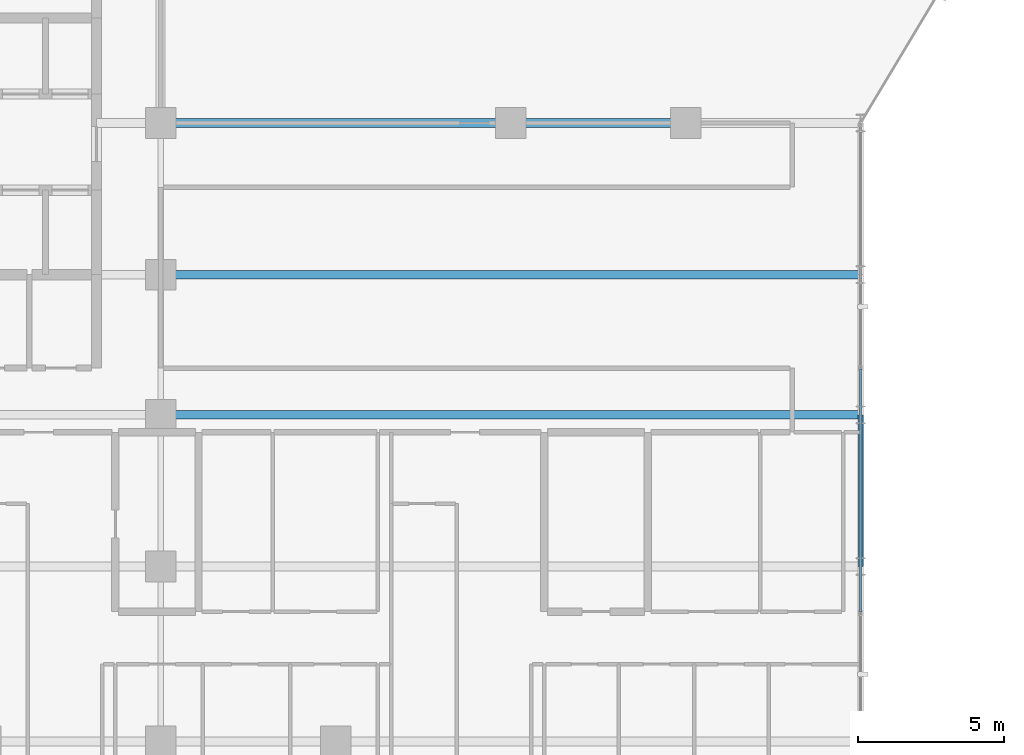
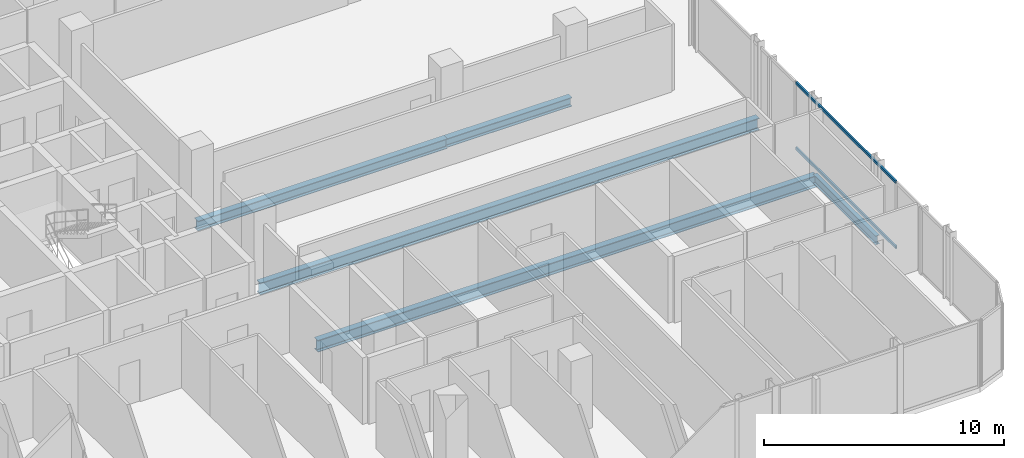
# One storey, part 11 of 30: 5 beams, 2 members, 1 element without a shape of its own.
"""IFC4 building model written with IfcOpenShell, lengths in metres."""

from ifc_helpers import new_model, si_unit, direction, frame, origin, origin_2d, place, context, subcontext, project, spatial, hollow_rectangle, i_section, extrude, material, layer, layer_set, material_profile, profile_set, type_object, element, aggregate, save


model = new_model("IFC4")

# Units and contexts
model_context = context("Model", 3, precision=1e-05, world=origin(), true_north=direction((0.0, 1.0)))
body_context = subcontext(model_context, "Body", "Model", "MODEL_VIEW")
ifc_project = project(units=[si_unit("LENGTHUNIT", "METRE"), si_unit("AREAUNIT", "SQUARE_METRE"), si_unit("VOLUMEUNIT", "CUBIC_METRE"), si_unit("PLANEANGLEUNIT", "RADIAN"), si_unit("MASSUNIT", "GRAM", prefix="KILO")], contexts=[model_context])

# Site, building, storey
site_placement = place(None, origin())
site = spatial("IfcSite", under=ifc_project, at=site_placement, CompositionType="ELEMENT")
building_placement = place(site_placement, origin())
building = spatial("IfcBuilding", under=site, at=building_placement, Name="Keshet Zoharim Tower", CompositionType="ELEMENT")
storey_placement = place(building_placement, frame((0.0, 0.0, 109.39990234375)))
storey = spatial("IfcBuildingStorey", under=building, at=storey_placement, Name="L26", CompositionType="ELEMENT", Elevation=109.39990234375)

# Beams
ifc_material_1 = material(Name="Steel S355", Category="steel")
ifc_material_profile_1 = material_profile(ifc_material_1, i_section(OverallWidth=0.300048828125, OverallDepth=0.60009765625, WebThickness=0.015380859375, FlangeThickness=0.030029296875, FilletRadius=0.027099609375, at=origin_2d()), Name="HEB600")
ifc_profile_set_1 = profile_set([ifc_material_profile_1], Name="Steel S355")
beam_type_1 = type_object("IfcBeamType", Name="BM-LNG-HB600", PredefinedType="BEAM", material=ifc_profile_set_1)
for number, where, z_axis, x_axis, name in (
    (1, (33.0, 17.89990234375, -0.614990234375), (1.0, 0.0, 0.0), (0.0, 1.0, 0.0), "L26 Primary Girder X-013"),
    (2, (33.0, 22.699951171875, -0.614990234375), (1.0, 0.0, 0.0), (0.0, 1.0, 0.0), "L26 Primary Girder X-014"),
):
    element("IfcBeam", number, at=place(storey_placement, frame(where, z_axis=z_axis, x_axis=x_axis)), inside=storey, type_object=beam_type_1, Name=name, PredefinedType="BEAM", context=body_context, shape_type="SweptSolid", body=[
        extrude(i_section(OverallWidth=0.300048828125, OverallDepth=0.60009765625, WebThickness=0.015380859375, FlangeThickness=0.030029296875, FilletRadius=0.027099609375, at=origin_2d()), origin(), (0.0, 0.0, 1.0), 24.0),
    ])
ifc_material_profile_2 = material_profile(ifc_material_1, i_section(OverallWidth=0.300048828125, OverallDepth=0.5, WebThickness=0.014404296875, FlangeThickness=0.028076171875, FilletRadius=0.027099609375, at=origin_2d()), Name="HEB500")
ifc_profile_set_2 = profile_set([ifc_material_profile_2], Name="Steel S355")
beam_type_2 = type_object("IfcBeamType", Name="BM-MED-HB500", PredefinedType="BEAM", material=ifc_profile_set_2)
beam_1_placement = place(storey_placement, frame((33.0, 27.89990234375, -0.56494140625), z_axis=(1.0, 0.0, 0.0), x_axis=(0.0, 1.0, 0.0)))
element("IfcBeam", 3, at=beam_1_placement, inside=storey, type_object=beam_type_2, Name="L26 Primary Girder X-015", PredefinedType="BEAM", context=body_context, shape_type="SweptSolid", body=[
    extrude(i_section(OverallWidth=0.300048828125, OverallDepth=0.5, WebThickness=0.014404296875, FlangeThickness=0.028076171875, FilletRadius=0.027099609375, at=origin_2d()), origin(), (0.0, 0.0, 1.0), 12.0),
])
ifc_material_profile_3 = material_profile(ifc_material_1, i_section(OverallWidth=0.18994140625, OverallDepth=0.449951171875, WebThickness=0.009521484375, FlangeThickness=0.0146484375, FilletRadius=0.02099609375, at=origin_2d()), Name="IPE450")
ifc_profile_set_3 = profile_set([ifc_material_profile_3], Name="Steel S355")
beam_type_3 = type_object("IfcBeamType", Name="BM-PRI-IP450", PredefinedType="BEAM", material=ifc_profile_set_3)
beam_2_placement = place(storey_placement, frame((57.0, 12.699951171875, -0.539794921875), z_axis=(0.0, 1.0, 0.0), x_axis=(-1.0, 0.0, 0.0)))
element("IfcBeam", 4, at=beam_2_placement, inside=storey, type_object=beam_type_3, Name="L26 Primary Girder Y-014", PredefinedType="BEAM", context=body_context, shape_type="SweptSolid", body=[
    extrude(i_section(OverallWidth=0.18994140625, OverallDepth=0.449951171875, WebThickness=0.009521484375, FlangeThickness=0.0146484375, FilletRadius=0.02099609375, at=origin_2d()), origin(), (0.0, 0.0, 1.0), 5.199951171875),
])
ifc_material_profile_4 = material_profile(ifc_material_1, i_section(OverallWidth=0.300048828125, OverallDepth=0.449951171875, WebThickness=0.013916015625, FlangeThickness=0.02587890625, FilletRadius=0.027099609375, at=origin_2d()), Name="HEB450")
ifc_profile_set_4 = profile_set([ifc_material_profile_4], Name="Steel S355")
beam_type_4 = type_object("IfcBeamType", Name="BM-WEB-HB450", PredefinedType="BEAM", material=ifc_profile_set_4)
beam_3_placement = place(storey_placement, frame((45.0, 27.89990234375, -0.539794921875), z_axis=(1.0, 0.0, 0.0), x_axis=(0.0, 1.0, 0.0)))
element("IfcBeam", 5, at=beam_3_placement, inside=storey, type_object=beam_type_4, Name="L26 Primary Girder X-016", PredefinedType="BEAM", context=body_context, shape_type="SweptSolid", body=[
    extrude(i_section(OverallWidth=0.300048828125, OverallDepth=0.449951171875, WebThickness=0.013916015625, FlangeThickness=0.02587890625, FilletRadius=0.027099609375, at=origin_2d()), origin(), (0.0, 0.0, 1.0), 6.0),
])

# Curtain wall, members
ifc_material_2 = material(Name="Aluminium 6063-T6", Category="aluminium")
ifc_layer = layer(ifc_material_2, 0.159912109375)
ifc_layer_set = layer_set([ifc_layer], Name="Aluminium 6063-T6")
curtain_wall_type = type_object("IfcCurtainWallType", Name="CW-SYS-03", PredefinedType="NOTDEFINED", material=ifc_layer_set)
curtain_wall_placement = place(storey_placement, origin())
curtain_wall = element("IfcCurtainWall", 6, at=curtain_wall_placement, inside=storey, type_object=curtain_wall_type, Name="L26 Unitised Curtain Wall 19", PredefinedType="NOTDEFINED")
ifc_material_profile_5 = material_profile(ifc_material_2, hollow_rectangle(XDim=0.080078125, YDim=0.139892578125, WallThickness=0.00390625, at=origin_2d()), Name="TRN-80x140")
ifc_profile_set_5 = profile_set([ifc_material_profile_5], Name="Aluminium 6063-T6")
member_type = type_object("IfcMemberType", Name="CWT-T14", PredefinedType="USERDEFINED", material=ifc_profile_set_5)
member_1_placement = place(storey_placement, frame((57.0, 19.465087890625, 0.03515625), z_axis=(0.0, -1.0, 0.0), x_axis=(1.0, 0.0, 0.0)))
member_1 = element("IfcMember", 7, at=member_1_placement, type_object=member_type, Name="CW-03 transom 2.1", ObjectType="TRANSOM", PredefinedType="USERDEFINED", context=body_context, shape_type="SweptSolid", body=[
    extrude(hollow_rectangle(XDim=0.080078125, YDim=0.139892578125, WallThickness=0.00390625, at=origin_2d()), origin(), (0.0, 0.0, 1.0), 8.330078125),
])
member_2_placement = place(storey_placement, frame((57.0, 19.465087890625, 3.35009765625), z_axis=(0.0, -1.0, 0.0), x_axis=(1.0, 0.0, 0.0)))
member_2 = element("IfcMember", 8, at=member_2_placement, type_object=member_type, Name="CW-03 transom 2.2", ObjectType="TRANSOM", PredefinedType="USERDEFINED", context=body_context, shape_type="SweptSolid", body=[
    extrude(hollow_rectangle(XDim=0.080078125, YDim=0.139892578125, WallThickness=0.00390625, at=origin_2d()), origin(), (0.0, 0.0, 1.0), 8.330078125),
])
aggregate(curtain_wall, [member_1, member_2])

save(model, "model.ifc")
